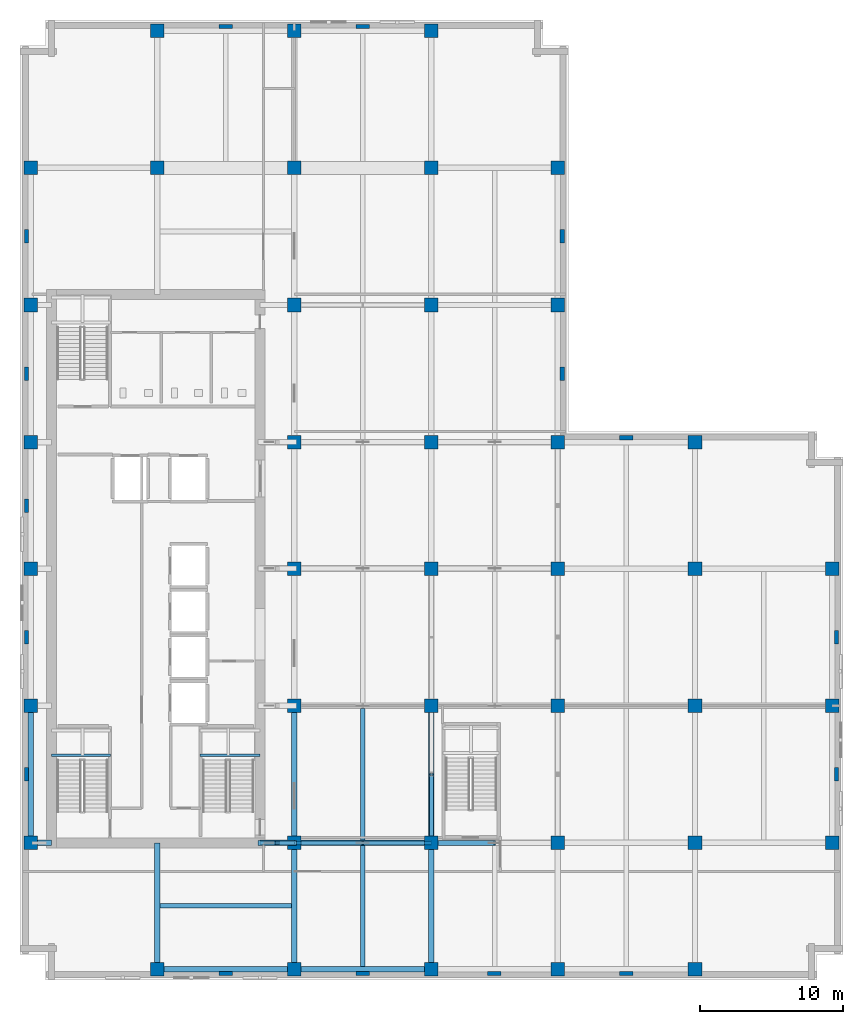
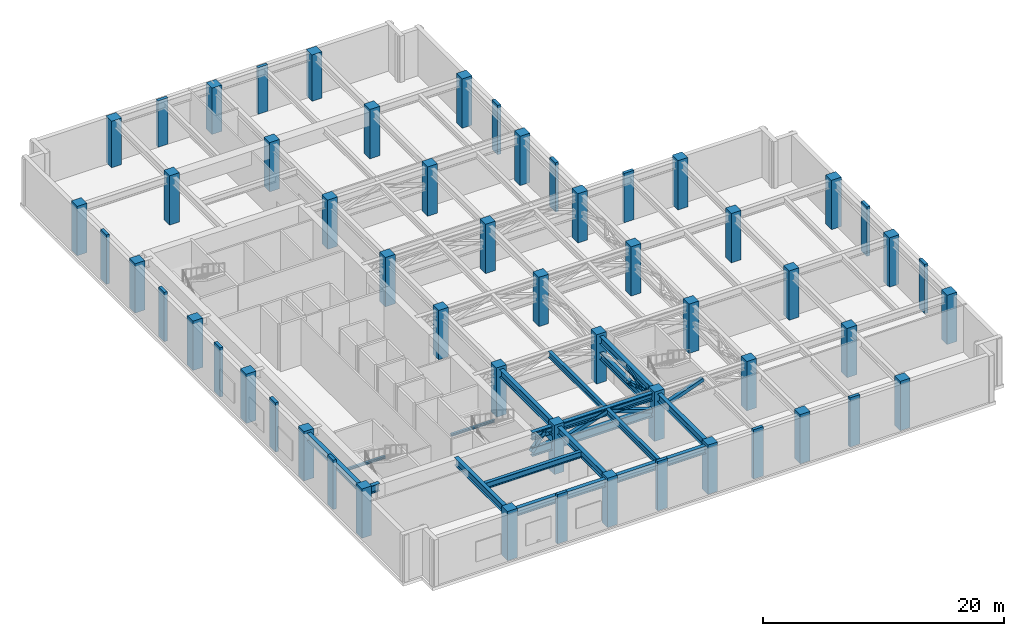
# One storey, part 1 of 21: 56 columns, 19 beams, 9 members.
"""IFC4 building model written with IfcOpenShell, lengths in metres."""

from ifc_helpers import new_model, si_unit, direction, frame, origin, origin_2d, place, context, subcontext, project, spatial, rectangle, hollow_rectangle, i_section, extrude, material, material_profile, profile_set, type_object, element, save


model = new_model("IFC4")

# Units and contexts
model_context = context("Model", 3, precision=1e-05, world=origin(), true_north=direction((0.0, 1.0)))
body_context = subcontext(model_context, "Body", "Model", "MODEL_VIEW")
ifc_project = project(units=[si_unit("LENGTHUNIT", "METRE"), si_unit("AREAUNIT", "SQUARE_METRE"), si_unit("VOLUMEUNIT", "CUBIC_METRE"), si_unit("PLANEANGLEUNIT", "RADIAN"), si_unit("MASSUNIT", "GRAM", prefix="KILO")], contexts=[model_context])

# Site, building, storey
site_placement = place(None, origin())
site = spatial("IfcSite", under=ifc_project, at=site_placement, CompositionType="ELEMENT")
building_placement = place(site_placement, origin())
building = spatial("IfcBuilding", under=site, at=building_placement, Name="Norrvale University Quadrangle", CompositionType="ELEMENT")
storey_placement = place(building_placement, frame((0.0, 0.0, 194.0)))
storey = spatial("IfcBuildingStorey", under=building, at=storey_placement, Name="L49", CompositionType="ELEMENT", Elevation=194.0)

# Columns
ifc_material_1 = material(Name="Red Manganese Brick Concrete C60/75", Category="concrete")
ifc_material_profile_1 = material_profile(ifc_material_1, rectangle(XDim=0.949951171875, YDim=0.300048828125, at=origin_2d()), Name="Red Manganese Brick Concrete C60/75")
ifc_profile_set_1 = profile_set([ifc_material_profile_1], Name="Red Manganese Brick Concrete C60/75")
column_type_1 = type_object("IfcColumnType", Name="Column Brick Pier 950x300", PredefinedType="PILASTER", material=ifc_profile_set_1)
for number, where, z_axis, x_axis, name in (
    (1, (0.449951171875, 14.39990234375, 0.0), (0.0, 0.0, 1.0), (0.0, 1.0, 0.0), "Exterior Brick Facade Pilaster L49-01"),
    (2, (0.449951171875, 24.0, 0.0), (0.0, 0.0, 1.0), (0.0, 1.0, 0.0), "Exterior Brick Facade Pilaster L49-02"),
    (3, (0.449951171875, 33.199951171875, 0.0), (0.0, 0.0, 1.0), (0.0, 1.0, 0.0), "Exterior Brick Facade Pilaster L49-03"),
    (4, (0.449951171875, 42.449951171875, 0.0), (0.0, 0.0, 1.0), (0.0, 1.0, 0.0), "Exterior Brick Facade Pilaster L49-04"),
    (5, (0.449951171875, 52.050048828125, 0.0), (0.0, 0.0, 1.0), (0.0, 1.0, 0.0), "Exterior Brick Facade Pilaster L49-05"),
    (6, (14.39990234375, 0.449951171875, 0.0), (0.0, 0.0, 1.0), (1.0, 0.0, 0.0), "Exterior Brick Facade Pilaster L49-06"),
    (7, (24.0, 0.449951171875, 0.0), (0.0, 0.0, 1.0), (1.0, 0.0, 0.0), "Exterior Brick Facade Pilaster L49-07"),
    (8, (33.199951171875, 0.449951171875, 0.0), (0.0, 0.0, 1.0), (1.0, 0.0, 0.0), "Exterior Brick Facade Pilaster L49-08"),
    (9, (42.449951171875, 0.449951171875, 0.0), (0.0, 0.0, 1.0), (1.0, 0.0, 0.0), "Exterior Brick Facade Pilaster L49-09"),
    (10, (57.14990234375, 14.39990234375, 0.0), (0.0, 0.0, 1.0), (0.0, 1.0, 0.0), "Exterior Brick Facade Pilaster L49-10"),
    (11, (57.14990234375, 24.0, 0.0), (0.0, 0.0, 1.0), (0.0, 1.0, 0.0), "Exterior Brick Facade Pilaster L49-11"),
):
    element("IfcColumn", number, at=place(storey_placement, frame(where, z_axis=z_axis, x_axis=x_axis)), inside=storey, type_object=column_type_1, Name=name, PredefinedType="PILASTER", context=body_context, shape_type="SweptSolid", body=[
        extrude(rectangle(XDim=0.949951171875, YDim=0.300048828125, at=origin_2d()), origin(), (0.0, 0.0, 1.0), 5.0),
    ])
for number, where, z_axis, x_axis, name in (
    (12, (14.39990234375, 66.75, 0.0), (0.0, 0.0, 1.0), (1.0, 0.0, 0.0), "Exterior Brick Facade Pilaster L49-12"),
    (13, (24.0, 66.75, 0.0), (0.0, 0.0, 1.0), (1.0, 0.0, 0.0), "Exterior Brick Facade Pilaster L49-13"),
):
    element("IfcColumn", number, at=place(storey_placement, frame(where, z_axis=z_axis, x_axis=x_axis)), inside=storey, type_object=column_type_1, Name=name, PredefinedType="PILASTER", context=body_context, shape_type="SweptSolid", body=[
        extrude(rectangle(XDim=0.949951171875, YDim=0.300048828125, at=origin_2d()), origin(), (0.0, 0.0, 1.0), 4.699951171875),
    ])
for number, where, z_axis, x_axis, name in (
    (14, (37.949951171875, 42.449951171875, 0.0), (0.0, 0.0, 1.0), (0.0, 1.0, 0.0), "Exterior Brick Facade Pilaster L49-14"),
    (15, (37.949951171875, 52.050048828125, 0.0), (0.0, 0.0, 1.0), (0.0, 1.0, 0.0), "Exterior Brick Facade Pilaster L49-15"),
    (16, (42.449951171875, 37.949951171875, 0.0), (0.0, 0.0, 1.0), (1.0, 0.0, 0.0), "Exterior Brick Facade Pilaster L49-16"),
):
    element("IfcColumn", number, at=place(storey_placement, frame(where, z_axis=z_axis, x_axis=x_axis)), inside=storey, type_object=column_type_1, Name=name, PredefinedType="PILASTER", context=body_context, shape_type="SweptSolid", body=[
        extrude(rectangle(XDim=0.949951171875, YDim=0.300048828125, at=origin_2d()), origin(), (0.0, 0.0, 1.0), 5.0),
    ])
ifc_material_2 = material(Name="Concrete C60/75", Category="concrete")
ifc_material_profile_2 = material_profile(ifc_material_2, rectangle(XDim=0.949951171875, YDim=0.949951171875, at=origin_2d()), Name="Concrete C60/75")
ifc_profile_set_2 = profile_set([ifc_material_profile_2], Name="Concrete C60/75")
column_type_2 = type_object("IfcColumnType", Name="Column Tower Z2 950x950", PredefinedType="COLUMN", material=ifc_profile_set_2)
for number, where, z_axis, x_axis, name in (
    (17, (0.75, 9.60009765625, 0.0), (0.0, 0.0, 1.0), (1.0, 0.0, 0.0), "Tower Column L49-T01"),
    (18, (0.75, 19.199951171875, 0.0), (0.0, 0.0, 1.0), (1.0, 0.0, 0.0), "Tower Column L49-T02"),
    (19, (0.75, 28.800048828125, 0.0), (0.0, 0.0, 1.0), (1.0, 0.0, 0.0), "Tower Column L49-T03"),
    (20, (0.75, 37.64990234375, 0.0), (0.0, 0.0, 1.0), (1.0, 0.0, 0.0), "Tower Column L49-T04"),
    (21, (0.75, 47.25, 0.0), (0.0, 0.0, 1.0), (1.0, 0.0, 0.0), "Tower Column L49-T05"),
    (22, (0.75, 56.85009765625, 0.0), (0.0, 0.0, 1.0), (1.0, 0.0, 0.0), "Tower Column L49-T06"),
    (23, (9.60009765625, 0.75, 0.0), (0.0, 0.0, 1.0), (1.0, 0.0, 0.0), "Tower Column L49-T07"),
    (24, (9.60009765625, 56.85009765625, 0.0), (0.0, 0.0, 1.0), (1.0, 0.0, 0.0), "Tower Column L49-T08"),
):
    element("IfcColumn", number, at=place(storey_placement, frame(where, z_axis=z_axis, x_axis=x_axis)), inside=storey, type_object=column_type_2, Name=name, PredefinedType="COLUMN", context=body_context, shape_type="SweptSolid", body=[
        extrude(rectangle(XDim=0.949951171875, YDim=0.949951171875, at=origin_2d()), origin(), (0.0, 0.0, 1.0), 5.0),
    ])
column_1_placement = place(storey_placement, frame((9.60009765625, 66.449951171875, 0.0), z_axis=(0.0, 0.0, 1.0), x_axis=(1.0, 0.0, 0.0)))
element("IfcColumn", 25, at=column_1_placement, inside=storey, type_object=column_type_2, Name="Tower Column L49-T09", PredefinedType="COLUMN", context=body_context, shape_type="SweptSolid", body=[
    extrude(rectangle(XDim=0.949951171875, YDim=0.949951171875, at=origin_2d()), origin(), (0.0, 0.0, 1.0), 4.699951171875),
])
for number, where, z_axis, x_axis, name in (
    (26, (19.199951171875, 0.75, 0.0), (0.0, 0.0, 1.0), (1.0, 0.0, 0.0), "Tower Column L49-T10"),
    (27, (19.199951171875, 9.60009765625, 0.0), (0.0, 0.0, 1.0), (1.0, 0.0, 0.0), "Tower Column L49-T11"),
    (28, (19.199951171875, 19.199951171875, 0.0), (0.0, 0.0, 1.0), (1.0, 0.0, 0.0), "Tower Column L49-T12"),
    (29, (19.199951171875, 28.800048828125, 0.0), (0.0, 0.0, 1.0), (1.0, 0.0, 0.0), "Tower Column L49-T13"),
    (30, (19.199951171875, 37.64990234375, 0.0), (0.0, 0.0, 1.0), (1.0, 0.0, 0.0), "Tower Column L49-T14"),
    (31, (19.199951171875, 47.25, 0.0), (0.0, 0.0, 1.0), (1.0, 0.0, 0.0), "Tower Column L49-T15"),
    (32, (19.199951171875, 56.85009765625, 0.0), (0.0, 0.0, 1.0), (1.0, 0.0, 0.0), "Tower Column L49-T16"),
):
    element("IfcColumn", number, at=place(storey_placement, frame(where, z_axis=z_axis, x_axis=x_axis)), inside=storey, type_object=column_type_2, Name=name, PredefinedType="COLUMN", context=body_context, shape_type="SweptSolid", body=[
        extrude(rectangle(XDim=0.949951171875, YDim=0.949951171875, at=origin_2d()), origin(), (0.0, 0.0, 1.0), 5.0),
    ])
column_2_placement = place(storey_placement, frame((19.199951171875, 66.449951171875, 0.0), z_axis=(0.0, 0.0, 1.0), x_axis=(1.0, 0.0, 0.0)))
element("IfcColumn", 33, at=column_2_placement, inside=storey, type_object=column_type_2, Name="Tower Column L49-T17", PredefinedType="COLUMN", context=body_context, shape_type="SweptSolid", body=[
    extrude(rectangle(XDim=0.949951171875, YDim=0.949951171875, at=origin_2d()), origin(), (0.0, 0.0, 1.0), 4.699951171875),
])
for number, where, z_axis, x_axis, name in (
    (34, (28.800048828125, 0.75, 0.0), (0.0, 0.0, 1.0), (1.0, 0.0, 0.0), "Tower Column L49-T18"),
    (35, (28.800048828125, 9.60009765625, 0.0), (0.0, 0.0, 1.0), (1.0, 0.0, 0.0), "Tower Column L49-T19"),
    (36, (28.800048828125, 19.199951171875, 0.0), (0.0, 0.0, 1.0), (1.0, 0.0, 0.0), "Tower Column L49-T20"),
    (37, (28.800048828125, 28.800048828125, 0.0), (0.0, 0.0, 1.0), (1.0, 0.0, 0.0), "Tower Column L49-T21"),
    (38, (28.800048828125, 37.64990234375, 0.0), (0.0, 0.0, 1.0), (1.0, 0.0, 0.0), "Tower Column L49-T22"),
    (39, (28.800048828125, 47.25, 0.0), (0.0, 0.0, 1.0), (1.0, 0.0, 0.0), "Tower Column L49-T23"),
    (40, (28.800048828125, 56.85009765625, 0.0), (0.0, 0.0, 1.0), (1.0, 0.0, 0.0), "Tower Column L49-T24"),
):
    element("IfcColumn", number, at=place(storey_placement, frame(where, z_axis=z_axis, x_axis=x_axis)), inside=storey, type_object=column_type_2, Name=name, PredefinedType="COLUMN", context=body_context, shape_type="SweptSolid", body=[
        extrude(rectangle(XDim=0.949951171875, YDim=0.949951171875, at=origin_2d()), origin(), (0.0, 0.0, 1.0), 5.0),
    ])
column_3_placement = place(storey_placement, frame((28.800048828125, 66.449951171875, 0.0), z_axis=(0.0, 0.0, 1.0), x_axis=(1.0, 0.0, 0.0)))
element("IfcColumn", 41, at=column_3_placement, inside=storey, type_object=column_type_2, Name="Tower Column L49-T25", PredefinedType="COLUMN", context=body_context, shape_type="SweptSolid", body=[
    extrude(rectangle(XDim=0.949951171875, YDim=0.949951171875, at=origin_2d()), origin(), (0.0, 0.0, 1.0), 4.699951171875),
])
for number, where, z_axis, x_axis, name in (
    (42, (37.64990234375, 0.75, 0.0), (0.0, 0.0, 1.0), (1.0, 0.0, 0.0), "Tower Column L49-T26"),
    (43, (37.64990234375, 9.60009765625, 0.0), (0.0, 0.0, 1.0), (1.0, 0.0, 0.0), "Tower Column L49-T27"),
    (44, (37.64990234375, 19.199951171875, 0.0), (0.0, 0.0, 1.0), (1.0, 0.0, 0.0), "Tower Column L49-T28"),
    (45, (37.64990234375, 28.800048828125, 0.0), (0.0, 0.0, 1.0), (1.0, 0.0, 0.0), "Tower Column L49-T29"),
    (46, (37.64990234375, 37.64990234375, 0.0), (0.0, 0.0, 1.0), (1.0, 0.0, 0.0), "Tower Column L49-T30"),
    (47, (37.64990234375, 47.25, 0.0), (0.0, 0.0, 1.0), (1.0, 0.0, 0.0), "Tower Column L49-T31"),
    (48, (37.64990234375, 56.85009765625, 0.0), (0.0, 0.0, 1.0), (1.0, 0.0, 0.0), "Tower Column L49-T32"),
    (49, (47.25, 0.75, 0.0), (0.0, 0.0, 1.0), (1.0, 0.0, 0.0), "Tower Column L49-T33"),
    (50, (47.25, 9.60009765625, 0.0), (0.0, 0.0, 1.0), (1.0, 0.0, 0.0), "Tower Column L49-T34"),
    (51, (47.25, 19.199951171875, 0.0), (0.0, 0.0, 1.0), (1.0, 0.0, 0.0), "Tower Column L49-T35"),
    (52, (47.25, 28.800048828125, 0.0), (0.0, 0.0, 1.0), (1.0, 0.0, 0.0), "Tower Column L49-T36"),
    (53, (47.25, 37.64990234375, 0.0), (0.0, 0.0, 1.0), (1.0, 0.0, 0.0), "Tower Column L49-T37"),
    (54, (56.85009765625, 9.60009765625, 0.0), (0.0, 0.0, 1.0), (1.0, 0.0, 0.0), "Tower Column L49-T38"),
    (55, (56.85009765625, 19.199951171875, 0.0), (0.0, 0.0, 1.0), (1.0, 0.0, 0.0), "Tower Column L49-T39"),
    (56, (56.85009765625, 28.800048828125, 0.0), (0.0, 0.0, 1.0), (1.0, 0.0, 0.0), "Tower Column L49-T40"),
):
    element("IfcColumn", number, at=place(storey_placement, frame(where, z_axis=z_axis, x_axis=x_axis)), inside=storey, type_object=column_type_2, Name=name, PredefinedType="COLUMN", context=body_context, shape_type="SweptSolid", body=[
        extrude(rectangle(XDim=0.949951171875, YDim=0.949951171875, at=origin_2d()), origin(), (0.0, 0.0, 1.0), 5.0),
    ])

# Beams
ifc_material_3 = material(Name="Steel 350W", Category="steel")
ifc_material_profile_3 = material_profile(ifc_material_3, i_section(OverallWidth=0.324951171875, OverallDepth=0.615966796875, WebThickness=0.013916015625, FlangeThickness=0.021484375, FilletRadius=0.01611328125, at=origin_2d()), Name="Steel 350W")
ifc_profile_set_3 = profile_set([ifc_material_profile_3], Name="Steel 350W")
beam_type_1 = type_object("IfcBeamType", Name="Beam Belt W610x174", PredefinedType="BEAM", material=ifc_profile_set_3)
beam_1_placement = place(storey_placement, frame((24.0, 0.9404296875, 4.431884765625), z_axis=(0.0, 1.0, 0.0), x_axis=(-1.0, 0.0, 0.0)))
element("IfcBeam", 57, at=beam_1_placement, inside=storey, type_object=beam_type_1, Name="Beam Belt W610x174 BM-L49-J069", PredefinedType="BEAM", context=body_context, shape_type="SweptSolid", body=[
    extrude(i_section(OverallWidth=0.324951171875, OverallDepth=0.615966796875, WebThickness=0.013916015625, FlangeThickness=0.021484375, FilletRadius=0.01611328125, at=origin_2d()), origin(), (0.0, 0.0, 1.0), 8.468994140625),
])
for number, where, z_axis, x_axis, name in (
    (58, (24.0, 9.79052734375, 4.431884765625), (0.0, 1.0, 0.0), (-1.0, 0.0, 0.0), "Beam Belt W610x174 BM-L49-J070"),
    (59, (9.79052734375, 5.199951171875, 4.431884765625), (1.0, 0.0, 0.0), (0.0, 1.0, 0.0), "Beam Belt W610x174 BM-L49-JCS088"),
):
    element("IfcBeam", number, at=place(storey_placement, frame(where, z_axis=z_axis, x_axis=x_axis)), inside=storey, type_object=beam_type_1, Name=name, PredefinedType="BEAM", context=body_context, shape_type="SweptSolid", body=[
        extrude(i_section(OverallWidth=0.324951171875, OverallDepth=0.615966796875, WebThickness=0.013916015625, FlangeThickness=0.021484375, FilletRadius=0.01611328125, at=origin_2d()), origin(), (0.0, 0.0, 1.0), 9.218994140625),
    ])
ifc_material_profile_4 = material_profile(ifc_material_3, i_section(OverallWidth=0.35498046875, OverallDepth=0.695068359375, WebThickness=0.015380859375, FlangeThickness=0.02490234375, FilletRadius=0.01806640625, at=origin_2d()), Name="Steel 350W")
ifc_profile_set_4 = profile_set([ifc_material_profile_4], Name="Steel 350W")
beam_type_2 = type_object("IfcBeamType", Name="Beam Belt W690x217", PredefinedType="BEAM", material=ifc_profile_set_4)
beam_2_placement = place(storey_placement, frame((28.800048828125, 9.60009765625, 2.75), z_axis=(0.0, 1.0, 0.0), x_axis=(-1.0, 0.0, 0.0)))
element("IfcBeam", 60, at=beam_2_placement, inside=storey, type_object=beam_type_2, Name="Belt Truss Chord L49-04", PredefinedType="BEAM", context=body_context, shape_type="SweptSolid", body=[
    extrude(i_section(OverallWidth=0.35498046875, OverallDepth=0.695068359375, WebThickness=0.015380859375, FlangeThickness=0.02490234375, FilletRadius=0.01806640625, at=origin_2d()), origin(), (0.0, 0.0, 1.0), 9.599853515625),
])
ifc_material_profile_5 = material_profile(ifc_material_3, i_section(OverallWidth=0.381103515625, OverallDepth=0.77294921875, WebThickness=0.0166015625, FlangeThickness=0.027587890625, FilletRadius=0.02001953125, at=origin_2d()), Name="Steel 350W")
ifc_profile_set_5 = profile_set([ifc_material_profile_5], Name="Steel 350W")
beam_type_3 = type_object("IfcBeamType", Name="Beam Outrig W760x257", PredefinedType="BEAM", material=ifc_profile_set_5)
beam_3_placement = place(storey_placement, frame((9.60009765625, 0.75, 4.353515625), z_axis=(1.0, 0.0, 0.0), x_axis=(0.0, 1.0, 0.0)))
element("IfcBeam", 61, at=beam_3_placement, inside=storey, type_object=beam_type_3, Name="Beam Outrig W760x257 BM-L49-GX001", PredefinedType="BEAM", context=body_context, shape_type="SweptSolid", body=[
    extrude(i_section(OverallWidth=0.381103515625, OverallDepth=0.77294921875, WebThickness=0.0166015625, FlangeThickness=0.027587890625, FilletRadius=0.02001953125, at=origin_2d()), origin(), (0.0, 0.0, 1.0), 9.599853515625),
])
for number, where, z_axis, x_axis, name in (
    (62, (19.199951171875, 0.75, 4.353515625), (1.0, 0.0, 0.0), (0.0, 1.0, 0.0), "Beam Outrig W760x257 BM-L49-GX002"),
    (63, (19.199951171875, 9.60009765625, 4.353515625), (1.0, 0.0, 0.0), (0.0, 1.0, 0.0), "Beam Outrig W760x257 BM-L49-GX005"),
):
    element("IfcBeam", number, at=place(storey_placement, frame(where, z_axis=z_axis, x_axis=x_axis)), inside=storey, type_object=beam_type_3, Name=name, PredefinedType="BEAM", context=body_context, shape_type="SweptSolid", body=[
        extrude(i_section(OverallWidth=0.381103515625, OverallDepth=0.77294921875, WebThickness=0.0166015625, FlangeThickness=0.027587890625, FilletRadius=0.02001953125, at=origin_2d()), origin(), (0.0, 0.0, 1.0), 9.60009765625),
    ])
beam_4_placement = place(storey_placement, frame((0.75, 9.60009765625, 4.353515625), z_axis=(0.0, 1.0, 0.0), x_axis=(-1.0, 0.0, 0.0)))
element("IfcBeam", 64, at=beam_4_placement, inside=storey, type_object=beam_type_3, Name="Beam Outrig W760x257 BM-L49-GY026", PredefinedType="BEAM", context=body_context, shape_type="SweptSolid", body=[
    extrude(i_section(OverallWidth=0.381103515625, OverallDepth=0.77294921875, WebThickness=0.0166015625, FlangeThickness=0.027587890625, FilletRadius=0.02001953125, at=origin_2d()), origin(), (0.0, 0.0, 1.0), 9.599853515625),
])
beam_5_placement = place(storey_placement, frame((19.199951171875, 0.75, 4.353515625), z_axis=(0.0, 1.0, 0.0), x_axis=(-1.0, 0.0, 0.0)))
element("IfcBeam", 65, at=beam_5_placement, inside=storey, type_object=beam_type_3, Name="Beam Outrig W760x257 BM-L49-GY032", PredefinedType="BEAM", context=body_context, shape_type="SweptSolid", body=[
    extrude(i_section(OverallWidth=0.381103515625, OverallDepth=0.77294921875, WebThickness=0.0166015625, FlangeThickness=0.027587890625, FilletRadius=0.02001953125, at=origin_2d()), origin(), (0.0, 0.0, 1.0), 8.85009765625),
])
beam_6_placement = place(storey_placement, frame((19.199951171875, 9.60009765625, 4.353515625), z_axis=(0.0, 1.0, 0.0), x_axis=(-1.0, 0.0, 0.0)))
element("IfcBeam", 66, at=beam_6_placement, inside=storey, type_object=beam_type_3, Name="Beam Outrig W760x257 BM-L49-GY033", PredefinedType="BEAM", context=body_context, shape_type="SweptSolid", body=[
    extrude(i_section(OverallWidth=0.381103515625, OverallDepth=0.77294921875, WebThickness=0.0166015625, FlangeThickness=0.027587890625, FilletRadius=0.02001953125, at=origin_2d()), origin(), (0.0, 0.0, 1.0), 9.599853515625),
])
beam_7_placement = place(storey_placement, frame((28.800048828125, 0.75, 4.353515625), z_axis=(0.0, 1.0, 0.0), x_axis=(-1.0, 0.0, 0.0)))
element("IfcBeam", 67, at=beam_7_placement, inside=storey, type_object=beam_type_3, Name="Beam Outrig W760x257 BM-L49-GY039", PredefinedType="BEAM", context=body_context, shape_type="SweptSolid", body=[
    extrude(i_section(OverallWidth=0.381103515625, OverallDepth=0.77294921875, WebThickness=0.0166015625, FlangeThickness=0.027587890625, FilletRadius=0.02001953125, at=origin_2d()), origin(), (0.0, 0.0, 1.0), 8.85009765625),
])
beam_8_placement = place(storey_placement, frame((28.800048828125, 9.60009765625, 4.353515625), z_axis=(0.0, 1.0, 0.0), x_axis=(-1.0, 0.0, 0.0)))
element("IfcBeam", 68, at=beam_8_placement, inside=storey, type_object=beam_type_3, Name="Beam Outrig W760x257 BM-L49-GY040", PredefinedType="BEAM", context=body_context, shape_type="SweptSolid", body=[
    extrude(i_section(OverallWidth=0.381103515625, OverallDepth=0.77294921875, WebThickness=0.0166015625, FlangeThickness=0.027587890625, FilletRadius=0.02001953125, at=origin_2d()), origin(), (0.0, 0.0, 1.0), 9.599853515625),
])
beam_9_placement = place(storey_placement, frame((0.75, 9.60009765625, 4.353515625), z_axis=(1.0, 0.0, 0.0), x_axis=(0.0, 1.0, 0.0)))
element("IfcBeam", 69, at=beam_9_placement, inside=storey, type_object=beam_type_3, Name="Beam Outrig W760x257 BM-L49-GCW058", PredefinedType="BEAM", context=body_context, shape_type="SweptSolid", body=[
    extrude(i_section(OverallWidth=0.381103515625, OverallDepth=0.77294921875, WebThickness=0.0166015625, FlangeThickness=0.027587890625, FilletRadius=0.02001953125, at=origin_2d()), origin(), (0.0, 0.0, 1.0), 1.449951171875),
])
beam_10_placement = place(storey_placement, frame((16.800048828125, 9.60009765625, 4.353515625), z_axis=(1.0, 0.0, 0.0), x_axis=(0.0, 1.0, 0.0)))
element("IfcBeam", 70, at=beam_10_placement, inside=storey, type_object=beam_type_3, Name="Beam Outrig W760x257 BM-L49-GCE059", PredefinedType="BEAM", context=body_context, shape_type="SweptSolid", body=[
    extrude(i_section(OverallWidth=0.381103515625, OverallDepth=0.77294921875, WebThickness=0.0166015625, FlangeThickness=0.027587890625, FilletRadius=0.02001953125, at=origin_2d()), origin(), (0.0, 0.0, 1.0), 2.39990234375),
])
beam_11_placement = place(storey_placement, frame((9.60009765625, 0.75, 4.353515625), z_axis=(0.0, 1.0, 0.0), x_axis=(-1.0, 0.0, 0.0)))
element("IfcBeam", 71, at=beam_11_placement, inside=storey, type_object=beam_type_3, Name="Beam Outrig W760x257 BM-L49-GCS087", PredefinedType="BEAM", context=body_context, shape_type="SweptSolid", body=[
    extrude(i_section(OverallWidth=0.381103515625, OverallDepth=0.77294921875, WebThickness=0.0166015625, FlangeThickness=0.027587890625, FilletRadius=0.02001953125, at=origin_2d()), origin(), (0.0, 0.0, 1.0), 8.85009765625),
])
ifc_material_profile_6 = material_profile(ifc_material_3, i_section(OverallWidth=0.39990234375, OverallDepth=0.85498046875, WebThickness=0.018310546875, FlangeThickness=0.029296875, FilletRadius=0.02197265625, at=origin_2d()), Name="Steel 350W")
ifc_profile_set_6 = profile_set([ifc_material_profile_6], Name="Steel 350W")
beam_type_4 = type_object("IfcBeamType", Name="Beam Outrig W840x299", PredefinedType="BEAM", material=ifc_profile_set_6)
beam_12_placement = place(storey_placement, frame((16.800048828125, 9.60009765625, 2.75), z_axis=(1.0, 0.0, 0.0), x_axis=(0.0, 1.0, 0.0)))
element("IfcBeam", 72, at=beam_12_placement, inside=storey, type_object=beam_type_4, Name="Outrigger Bottom Chord L49-1.1", PredefinedType="BEAM", context=body_context, shape_type="SweptSolid", body=[
    extrude(i_section(OverallWidth=0.39990234375, OverallDepth=0.85498046875, WebThickness=0.018310546875, FlangeThickness=0.029296875, FilletRadius=0.02197265625, at=origin_2d()), origin(), (0.0, 0.0, 1.0), 2.39990234375),
])
beam_13_placement = place(storey_placement, frame((19.199951171875, 9.60009765625, 2.75), z_axis=(1.0, 0.0, 0.0), x_axis=(0.0, 1.0, 0.0)))
element("IfcBeam", 73, at=beam_13_placement, inside=storey, type_object=beam_type_4, Name="Outrigger Bottom Chord L49-1.2", PredefinedType="BEAM", context=body_context, shape_type="SweptSolid", body=[
    extrude(i_section(OverallWidth=0.39990234375, OverallDepth=0.85498046875, WebThickness=0.018310546875, FlangeThickness=0.029296875, FilletRadius=0.02197265625, at=origin_2d()), origin(), (0.0, 0.0, 1.0), 9.60009765625),
])
ifc_material_profile_7 = material_profile(ifc_material_3, i_section(OverallWidth=0.201904296875, OverallDepth=0.2470703125, WebThickness=0.00732421875, FlangeThickness=0.010986328125, FilletRadius=0.011962890625, at=origin_2d()), Name="Steel 350W")
ifc_profile_set_7 = profile_set([ifc_material_profile_7], Name="Steel 350W")
beam_type_5 = type_object("IfcBeamType", Name="Beam Stair W250x49", PredefinedType="BEAM", material=ifc_profile_set_7)
beam_14_placement = place(storey_placement, frame((2.199951171875, 15.72998046875, 2.176513671875), z_axis=(1.0, 0.0, 0.0), x_axis=(0.0, 1.0, 0.0)))
element("IfcBeam", 74, at=beam_14_placement, inside=storey, type_object=beam_type_5, Name="Stair Mid-Landing Front Beam ST-01 L49", PredefinedType="BEAM", context=body_context, shape_type="SweptSolid", body=[
    extrude(i_section(OverallWidth=0.201904296875, OverallDepth=0.2470703125, WebThickness=0.00732421875, FlangeThickness=0.010986328125, FilletRadius=0.011962890625, at=origin_2d()), origin(), (0.0, 0.0, 1.0), 4.14013671875),
])
beam_15_placement = place(storey_placement, frame((12.610107421875, 15.72998046875, 2.176513671875), z_axis=(1.0, 0.0, 0.0), x_axis=(0.0, 1.0, 0.0)))
element("IfcBeam", 75, at=beam_15_placement, inside=storey, type_object=beam_type_5, Name="Stair Mid-Landing Front Beam ST-03 L49", PredefinedType="BEAM", context=body_context, shape_type="SweptSolid", body=[
    extrude(i_section(OverallWidth=0.201904296875, OverallDepth=0.2470703125, WebThickness=0.00732421875, FlangeThickness=0.010986328125, FilletRadius=0.011962890625, at=origin_2d()), origin(), (0.0, 0.0, 1.0), 4.18994140625),
])

# Members
ifc_material_profile_8 = material_profile(ifc_material_3, hollow_rectangle(XDim=0.304931640625, YDim=0.304931640625, WallThickness=0.012939453125, at=origin_2d()), Name="Steel 350W")
ifc_profile_set_8 = profile_set([ifc_material_profile_8], Name="Steel 350W")
member_type_1 = type_object("IfcMemberType", Name="Member Belt Diag HSS305", PredefinedType="BRACE", material=ifc_profile_set_8)
member_1_placement = place(storey_placement, frame((28.800048828125, 9.60009765625, 2.75), z_axis=(0.0, 0.94629347716, 0.323308915874), x_axis=(-1.0, 0.0, 0.0)))
element("IfcMember", 76, at=member_1_placement, inside=storey, type_object=member_type_1, Name="Belt Truss Brace L49-04A", PredefinedType="BRACE", context=body_context, shape_type="SweptSolid", body=[
    extrude(hollow_rectangle(XDim=0.304931640625, YDim=0.304931640625, WallThickness=0.012939453125, at=origin_2d()), origin(), (0.0, 0.0, 1.0), 5.072265625),
])
ifc_material_profile_9 = material_profile(ifc_material_3, hollow_rectangle(XDim=0.202880859375, YDim=0.304931640625, WallThickness=0.012939453125, at=origin_2d()), Name="Steel 350W")
ifc_profile_set_9 = profile_set([ifc_material_profile_9], Name="Steel 350W")
member_type_2 = type_object("IfcMemberType", Name="Member Chord HSS305x203", PredefinedType="CHORD", material=ifc_profile_set_9)
member_2_placement = place(storey_placement, frame((16.800048828125, 9.60009765625, 4.389892578125), z_axis=(1.0, 0.0, 0.0), x_axis=(0.0, 1.0, 0.0)))
element("IfcMember", 77, at=member_2_placement, inside=storey, type_object=member_type_2, Name="Outrigger Top Chord L49-1.1", PredefinedType="CHORD", context=body_context, shape_type="SweptSolid", body=[
    extrude(hollow_rectangle(XDim=0.202880859375, YDim=0.304931640625, WallThickness=0.012939453125, at=origin_2d()), origin(), (0.0, 0.0, 1.0), 2.39990234375),
])
member_3_placement = place(storey_placement, frame((19.199951171875, 9.60009765625, 4.389892578125), z_axis=(1.0, 0.0, 0.0), x_axis=(0.0, 1.0, 0.0)))
element("IfcMember", 78, at=member_3_placement, inside=storey, type_object=member_type_2, Name="Outrigger Top Chord L49-1.2", PredefinedType="CHORD", context=body_context, shape_type="SweptSolid", body=[
    extrude(hollow_rectangle(XDim=0.202880859375, YDim=0.304931640625, WallThickness=0.012939453125, at=origin_2d()), origin(), (0.0, 0.0, 1.0), 9.60009765625),
])
ifc_material_profile_10 = material_profile(ifc_material_3, hollow_rectangle(XDim=0.35595703125, YDim=0.35595703125, WallThickness=0.01611328125, at=origin_2d()), Name="Steel 350W")
ifc_profile_set_10 = profile_set([ifc_material_profile_10], Name="Steel 350W")
member_type_3 = type_object("IfcMemberType", Name="Member Outrig Diag HSS356", PredefinedType="BRACE", material=ifc_profile_set_10)
for number, where, z_axis, x_axis, name in (
    (79, (16.800048828125, 9.60009765625, 2.75), (0.59051953716, 0.0, 0.807023343053), (0.0, 1.0, 0.0), "Outrigger Truss Diagonal L49-1.1A"),
    (80, (19.199951171875, 9.60009765625, 2.75), (-0.59051953716, 0.0, 0.807023343053), (0.0, -1.0, 0.0), "Outrigger Truss Diagonal L49-1.1B"),
):
    element("IfcMember", number, at=place(storey_placement, frame(where, z_axis=z_axis, x_axis=x_axis)), inside=storey, type_object=member_type_3, Name=name, PredefinedType="BRACE", context=body_context, shape_type="SweptSolid", body=[
        extrude(hollow_rectangle(XDim=0.35595703125, YDim=0.35595703125, WallThickness=0.01611328125, at=origin_2d()), origin(), (0.0, 0.0, 1.0), 2.031982421875),
    ])
for number, where, z_axis, x_axis, name in (
    (81, (19.199951171875, 9.60009765625, 2.75), (0.946298508087, 0.0, 0.32329419047), (0.0, 1.0, 0.0), "Outrigger Truss Diagonal L49-1.2A"),
    (82, (28.800048828125, 9.60009765625, 2.75), (-0.946298508087, 0.0, 0.32329419047), (0.0, -1.0, 0.0), "Outrigger Truss Diagonal L49-1.2B"),
):
    element("IfcMember", number, at=place(storey_placement, frame(where, z_axis=z_axis, x_axis=x_axis)), inside=storey, type_object=member_type_3, Name=name, PredefinedType="BRACE", context=body_context, shape_type="SweptSolid", body=[
        extrude(hollow_rectangle(XDim=0.35595703125, YDim=0.35595703125, WallThickness=0.01611328125, at=origin_2d()), origin(), (0.0, 0.0, 1.0), 5.072509765625),
    ])
member_4_placement = place(storey_placement, frame((28.800048828125, 9.60009765625, 2.75), z_axis=(0.937680720811, 0.0, 0.347498008369), x_axis=(0.0, 1.0, 0.0)))
element("IfcMember", 83, at=member_4_placement, inside=storey, type_object=member_type_3, Name="Outrigger Truss Diagonal L49-1.3A", PredefinedType="BRACE", context=body_context, shape_type="SweptSolid", body=[
    extrude(hollow_rectangle(XDim=0.35595703125, YDim=0.35595703125, WallThickness=0.01611328125, at=origin_2d()), origin(), (0.0, 0.0, 1.0), 4.71923828125),
])
ifc_material_profile_11 = material_profile(ifc_material_3, i_section(OverallWidth=0.30908203125, OverallDepth=0.322998046875, WebThickness=0.01318359375, FlangeThickness=0.02294921875, FilletRadius=0.014892578125, at=origin_2d()), Name="Steel 350W")
ifc_profile_set_11 = profile_set([ifc_material_profile_11], Name="Steel 350W")
member_type_4 = type_object("IfcMemberType", Name="Member Tie W310x143", PredefinedType="BRACE", material=ifc_profile_set_11)
member_5_placement = place(storey_placement, frame((28.800048828125, 9.60009765625, 4.389892578125), z_axis=(0.0, 0.94629347716, -0.323308915874), x_axis=(-1.0, 0.0, 0.0)))
element("IfcMember", 84, at=member_5_placement, inside=storey, type_object=member_type_4, Name="Belt Truss Tie Brace L49-04", PredefinedType="BRACE", context=body_context, shape_type="SweptSolid", body=[
    extrude(i_section(OverallWidth=0.30908203125, OverallDepth=0.322998046875, WebThickness=0.01318359375, FlangeThickness=0.02294921875, FilletRadius=0.014892578125, at=origin_2d()), origin(), (0.0, 0.0, 1.0), 5.072265625),
])

save(model, "model.ifc")
